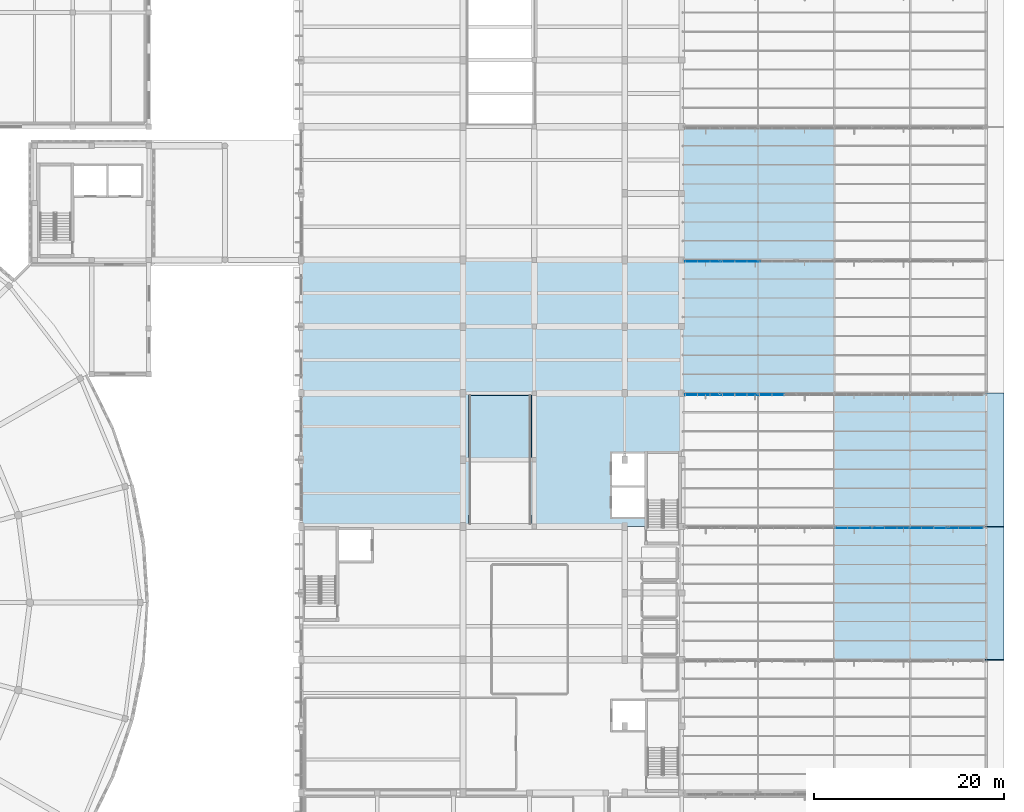
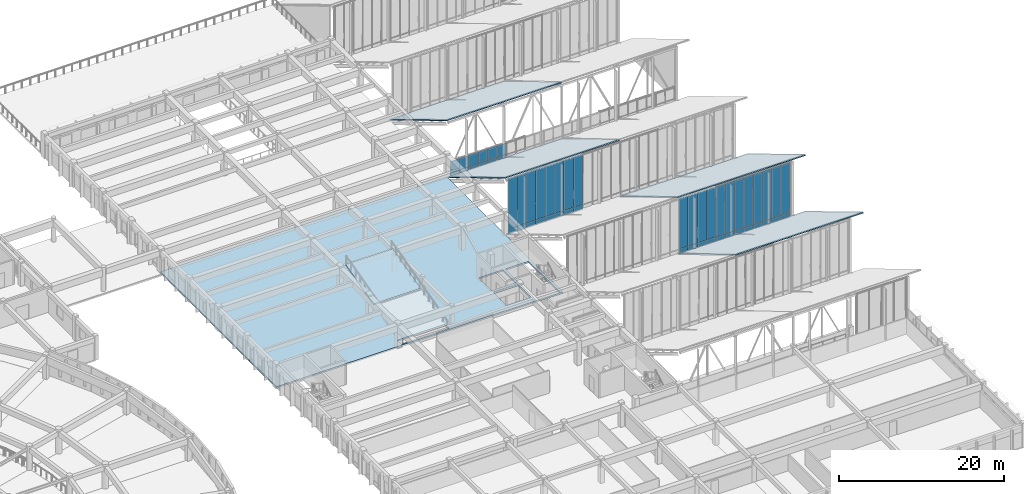
# One storey, part 80 of 155: 52 plates, 6 slabs, 11 elements without a shape of their own.
"""IFC4 building model written with IfcOpenShell, lengths in metres."""

from ifc_helpers import new_model, si_unit, direction, frame, origin, origin_2d, place, context, subcontext, project, spatial, polyline, rectangle, outline, extrude, material, layer, layer_set, type_object, element, aggregate, save


model = new_model("IFC4")

# Units and contexts
model_context = context("Model", 3, precision=1e-05, world=origin(), true_north=direction((0.0, 1.0)))
body_context = subcontext(model_context, "Body", "Model", "MODEL_VIEW")
ifc_project = project(units=[si_unit("LENGTHUNIT", "METRE"), si_unit("AREAUNIT", "SQUARE_METRE"), si_unit("VOLUMEUNIT", "CUBIC_METRE"), si_unit("PLANEANGLEUNIT", "RADIAN"), si_unit("MASSUNIT", "GRAM", prefix="KILO")], contexts=[model_context])

# Site, building, storey
site_placement = place(None, origin())
site = spatial("IfcSite", under=ifc_project, at=site_placement, CompositionType="ELEMENT")
building_placement = place(site_placement, origin())
building = spatial("IfcBuilding", under=site, at=building_placement, Name="Larkveld Mobility Hub", CompositionType="ELEMENT")
storey_placement = place(building_placement, frame((0.0, 0.0, 8.39990234375)))
storey = spatial("IfcBuildingStorey", under=building, at=storey_placement, Name="L02", CompositionType="ELEMENT", Elevation=8.39990234375)

# Curtain wall, plates
ifc_material_1 = material(Name="Anodised aluminium 6063-T6", Category="aluminium")
curtain_wall_type_1 = type_object("IfcCurtainWallType", Name="CW-SYS-01", PredefinedType="NOTDEFINED", material=ifc_material_1)
curtain_wall_1_placement = place(storey_placement, origin())
curtain_wall_1 = element("IfcCurtainWall", 1, at=curtain_wall_1_placement, inside=storey, type_object=curtain_wall_type_1, Name="Sawtooth South-Light Clerestory B3 CW-025", PredefinedType="NOTDEFINED")
ifc_material_2 = material(Name="Low-E laminated solar-control double glazing", Category="glass")
ifc_layer_1 = layer(ifc_material_2, 0.028076171875, Name="Low-E laminated solar-control double glazing", Category="glass")
ifc_layer_set_1 = layer_set([ifc_layer_1], Name="Low-E laminated solar-control double glazing")
plate_type_1 = type_object("IfcPlateType", Name="CW-PNL-GL01", PredefinedType="CURTAIN_PANEL", material=ifc_layer_set_1)
plate_1_placement = place(storey_placement, frame((179.1298828125, 55.844970703125, 0.75), z_axis=(0.0, 0.0, 1.0), x_axis=(1.0, 0.0, 0.0)))
plate_1 = element("IfcPlate", 2, at=plate_1_placement, type_object=plate_type_1, Name="CW01 panel 1", PredefinedType="CURTAIN_PANEL", context=body_context, shape_type="SweptSolid", body=[
    extrude(rectangle(XDim=1.264892578125, YDim=0.028076171875, at=origin_2d()), origin(), (0.0, 0.0, 1.0), 7.367919921875),
])
plate_2_placement = place(storey_placement, frame((180.4140625, 55.844970703125, 0.75), z_axis=(0.0, 0.0, 1.0), x_axis=(1.0, 0.0, 0.0)))
plate_2 = element("IfcPlate", 3, at=plate_2_placement, type_object=plate_type_1, Name="CW01 panel 2", PredefinedType="CURTAIN_PANEL", context=body_context, shape_type="SweptSolid", body=[
    extrude(rectangle(XDim=1.284912109375, YDim=0.028076171875, at=origin_2d()), origin(), (0.0, 0.0, 1.0), 7.367919921875),
])
plate_3_placement = place(storey_placement, frame((181.708984375, 55.844970703125, 0.75), z_axis=(0.0, 0.0, 1.0), x_axis=(1.0, 0.0, 0.0)))
plate_3 = element("IfcPlate", 4, at=plate_3_placement, type_object=plate_type_1, Name="CW01 panel 3", PredefinedType="CURTAIN_PANEL", context=body_context, shape_type="SweptSolid", body=[
    extrude(rectangle(XDim=1.284912109375, YDim=0.028076171875, at=origin_2d()), origin(), (0.0, 0.0, 1.0), 7.367919921875),
])
plate_4_placement = place(storey_placement, frame((182.992919921875, 55.844970703125, 0.75), z_axis=(0.0, 0.0, 1.0), x_axis=(1.0, 0.0, 0.0)))
plate_4 = element("IfcPlate", 5, at=plate_4_placement, type_object=plate_type_1, Name="CW01 panel 4", PredefinedType="CURTAIN_PANEL", context=body_context, shape_type="SweptSolid", body=[
    extrude(rectangle(XDim=1.264892578125, YDim=0.028076171875, at=origin_2d()), origin(), (0.0, 0.0, 1.0), 7.367919921875),
])

curtain_wall_type_2 = type_object("IfcCurtainWallType", Name="CW-SYS-11", PredefinedType="NOTDEFINED", material=ifc_material_1)
curtain_wall_2_placement = place(storey_placement, origin())
curtain_wall_2 = element("IfcCurtainWall", 6, at=curtain_wall_2_placement, inside=storey, type_object=curtain_wall_type_2, Name="Sawtooth South-Light Clerestory B3 CW-023", PredefinedType="NOTDEFINED")
ifc_material_3 = material(Name="Acoustic solar-control laminated double glazing", Category="glass")
ifc_layer_2 = layer(ifc_material_3, 0.031982421875, Name="Acoustic solar-control laminated double glazing", Category="glass")
ifc_layer_set_2 = layer_set([ifc_layer_2], Name="Acoustic solar-control laminated double glazing")
plate_type_2 = type_object("IfcPlateType", Name="CW-PNL-GL02", PredefinedType="CURTAIN_PANEL", material=ifc_layer_set_2)
plate_5_placement = place(storey_placement, frame((168.77294921875, 55.844970703125, 0.75), z_axis=(0.0, 0.0, 1.0), x_axis=(1.0, 0.0, 0.0)))
plate_5 = element("IfcPlate", 7, at=plate_5_placement, type_object=plate_type_2, Name="CW11 panel 1", PredefinedType="CURTAIN_PANEL", context=body_context, shape_type="SweptSolid", body=[
    extrude(rectangle(XDim=1.264892578125, YDim=0.031982421875, at=origin_2d()), origin(), (0.0, 0.0, 1.0), 7.367919921875),
])
plate_6_placement = place(storey_placement, frame((170.056884765625, 55.844970703125, 0.75), z_axis=(0.0, 0.0, 1.0), x_axis=(1.0, 0.0, 0.0)))
plate_6 = element("IfcPlate", 8, at=plate_6_placement, type_object=plate_type_2, Name="CW11 panel 2", PredefinedType="CURTAIN_PANEL", context=body_context, shape_type="SweptSolid", body=[
    extrude(rectangle(XDim=1.284912109375, YDim=0.031982421875, at=origin_2d()), origin(), (0.0, 0.0, 1.0), 7.367919921875),
])
plate_7_placement = place(storey_placement, frame((171.35107421875, 55.844970703125, 0.75), z_axis=(0.0, 0.0, 1.0), x_axis=(1.0, 0.0, 0.0)))
plate_7 = element("IfcPlate", 9, at=plate_7_placement, type_object=plate_type_2, Name="CW11 panel 3", PredefinedType="CURTAIN_PANEL", context=body_context, shape_type="SweptSolid", body=[
    extrude(rectangle(XDim=1.284912109375, YDim=0.031982421875, at=origin_2d()), origin(), (0.0, 0.0, 1.0), 7.367919921875),
])
plate_8_placement = place(storey_placement, frame((172.635986328125, 55.844970703125, 0.75), z_axis=(0.0, 0.0, 1.0), x_axis=(1.0, 0.0, 0.0)))
plate_8 = element("IfcPlate", 10, at=plate_8_placement, type_object=plate_type_2, Name="CW11 panel 4", PredefinedType="CURTAIN_PANEL", context=body_context, shape_type="SweptSolid", body=[
    extrude(rectangle(XDim=1.264892578125, YDim=0.031982421875, at=origin_2d()), origin(), (0.0, 0.0, 1.0), 7.367919921875),
])

curtain_wall_type_3 = type_object("IfcCurtainWallType", Name="CW-SYS-02", PredefinedType="NOTDEFINED", material=ifc_material_1)
curtain_wall_3_placement = place(storey_placement, origin())
curtain_wall_3 = element("IfcCurtainWall", 11, at=curtain_wall_3_placement, inside=storey, type_object=curtain_wall_type_3, Name="Sawtooth South-Light Clerestory B4 CW-026", PredefinedType="NOTDEFINED")
plate_9_placement = place(storey_placement, frame((153.011962890625, 69.844970703125, 0.75), z_axis=(0.0, 0.0, 1.0), x_axis=(1.0, 0.0, 0.0)))
plate_9 = element("IfcPlate", 12, at=plate_9_placement, type_object=plate_type_2, Name="CW02 panel 1", PredefinedType="CURTAIN_PANEL", context=body_context, shape_type="SweptSolid", body=[
    extrude(rectangle(XDim=1.27392578125, YDim=0.031982421875, at=origin_2d()), origin(), (0.0, 0.0, 1.0), 7.367919921875),
])
plate_10_placement = place(storey_placement, frame((154.305908203125, 69.844970703125, 0.75), z_axis=(0.0, 0.0, 1.0), x_axis=(1.0, 0.0, 0.0)))
plate_10 = element("IfcPlate", 13, at=plate_10_placement, type_object=plate_type_2, Name="CW02 panel 2", PredefinedType="CURTAIN_PANEL", context=body_context, shape_type="SweptSolid", body=[
    extrude(rectangle(XDim=1.2939453125, YDim=0.031982421875, at=origin_2d()), origin(), (0.0, 0.0, 1.0), 7.367919921875),
])
plate_11_placement = place(storey_placement, frame((155.611083984375, 69.844970703125, 0.75), z_axis=(0.0, 0.0, 1.0), x_axis=(1.0, 0.0, 0.0)))
plate_11 = element("IfcPlate", 14, at=plate_11_placement, type_object=plate_type_2, Name="CW02 panel 3", PredefinedType="CURTAIN_PANEL", context=body_context, shape_type="SweptSolid", body=[
    extrude(rectangle(XDim=1.2939453125, YDim=0.031982421875, at=origin_2d()), origin(), (0.0, 0.0, 1.0), 7.367919921875),
])
plate_12_placement = place(storey_placement, frame((156.905029296875, 69.844970703125, 0.75), z_axis=(0.0, 0.0, 1.0), x_axis=(1.0, 0.0, 0.0)))
plate_12 = element("IfcPlate", 15, at=plate_12_placement, type_object=plate_type_2, Name="CW02 panel 4", PredefinedType="CURTAIN_PANEL", context=body_context, shape_type="SweptSolid", body=[
    extrude(rectangle(XDim=1.27392578125, YDim=0.031982421875, at=origin_2d()), origin(), (0.0, 0.0, 1.0), 7.367919921875),
])

curtain_wall_type_4 = type_object("IfcCurtainWallType", Name="CW-SYS-08", PredefinedType="NOTDEFINED", material=ifc_material_1)
curtain_wall_4_placement = place(storey_placement, origin())
curtain_wall_4 = element("IfcCurtainWall", 16, at=curtain_wall_4_placement, inside=storey, type_object=curtain_wall_type_4, Name="Sawtooth South-Light Clerestory B5 CW-032", PredefinedType="NOTDEFINED")
plate_13_placement = place(storey_placement, frame((153.011962890625, 83.844970703125, 0.564453125), z_axis=(0.0, 0.0, 1.0), x_axis=(1.0, 0.0, 0.0)))
plate_13 = element("IfcPlate", 17, at=plate_13_placement, type_object=plate_type_2, Name="CW08 panel 1", PredefinedType="CURTAIN_PANEL", context=body_context, shape_type="SweptSolid", body=[
    extrude(rectangle(XDim=1.27392578125, YDim=0.031982421875, at=origin_2d()), origin(), (0.0, 0.0, 1.0), 1.6630859375),
])
plate_14_placement = place(storey_placement, frame((154.305908203125, 83.844970703125, 0.564453125), z_axis=(0.0, 0.0, 1.0), x_axis=(1.0, 0.0, 0.0)))
plate_14 = element("IfcPlate", 18, at=plate_14_placement, type_object=plate_type_2, Name="CW08 panel 2", PredefinedType="CURTAIN_PANEL", context=body_context, shape_type="SweptSolid", body=[
    extrude(rectangle(XDim=1.2939453125, YDim=0.031982421875, at=origin_2d()), origin(), (0.0, 0.0, 1.0), 1.6630859375),
])
plate_15_placement = place(storey_placement, frame((155.611083984375, 83.844970703125, 0.564453125), z_axis=(0.0, 0.0, 1.0), x_axis=(1.0, 0.0, 0.0)))
plate_15 = element("IfcPlate", 19, at=plate_15_placement, type_object=plate_type_2, Name="CW08 panel 3", PredefinedType="CURTAIN_PANEL", context=body_context, shape_type="SweptSolid", body=[
    extrude(rectangle(XDim=1.2939453125, YDim=0.031982421875, at=origin_2d()), origin(), (0.0, 0.0, 1.0), 1.6630859375),
])
plate_16_placement = place(storey_placement, frame((156.905029296875, 83.844970703125, 0.564453125), z_axis=(0.0, 0.0, 1.0), x_axis=(1.0, 0.0, 0.0)))
plate_16 = element("IfcPlate", 20, at=plate_16_placement, type_object=plate_type_2, Name="CW08 panel 4", PredefinedType="CURTAIN_PANEL", context=body_context, shape_type="SweptSolid", body=[
    extrude(rectangle(XDim=1.27392578125, YDim=0.031982421875, at=origin_2d()), origin(), (0.0, 0.0, 1.0), 1.6630859375),
])

curtain_wall_type_5 = type_object("IfcCurtainWallType", Name="CW-SYS-12", PredefinedType="NOTDEFINED", material=ifc_material_1)
curtain_wall_5_placement = place(storey_placement, origin())
curtain_wall_5 = element("IfcCurtainWall", 21, at=curtain_wall_5_placement, inside=storey, type_object=curtain_wall_type_5, Name="Sawtooth South-Light Clerestory B3 CW-024", PredefinedType="NOTDEFINED")
ifc_material_4 = material(Name="Tinted safety double glazing", Category="glass")
ifc_layer_3 = layer(ifc_material_4, 0.035888671875, Name="Tinted safety double glazing", Category="glass")
ifc_layer_set_3 = layer_set([ifc_layer_3], Name="Tinted safety double glazing")
plate_type_3 = type_object("IfcPlateType", Name="CW-PNL-GL03", PredefinedType="CURTAIN_PANEL", material=ifc_layer_set_3)
plate_17_placement = place(storey_placement, frame((173.950927734375, 55.844970703125, 0.75), z_axis=(0.0, 0.0, 1.0), x_axis=(1.0, 0.0, 0.0)))
plate_17 = element("IfcPlate", 22, at=plate_17_placement, type_object=plate_type_3, Name="CW12 panel 1", PredefinedType="CURTAIN_PANEL", context=body_context, shape_type="SweptSolid", body=[
    extrude(rectangle(XDim=1.264892578125, YDim=0.035888671875, at=origin_2d()), origin(), (0.0, 0.0, 1.0), 7.367919921875),
])
plate_18_placement = place(storey_placement, frame((175.235107421875, 55.844970703125, 0.75), z_axis=(0.0, 0.0, 1.0), x_axis=(1.0, 0.0, 0.0)))
plate_18 = element("IfcPlate", 23, at=plate_18_placement, type_object=plate_type_3, Name="CW12 panel 2", PredefinedType="CURTAIN_PANEL", context=body_context, shape_type="SweptSolid", body=[
    extrude(rectangle(XDim=1.284912109375, YDim=0.035888671875, at=origin_2d()), origin(), (0.0, 0.0, 1.0), 7.367919921875),
])
plate_19_placement = place(storey_placement, frame((176.529052734375, 55.844970703125, 0.75), z_axis=(0.0, 0.0, 1.0), x_axis=(1.0, 0.0, 0.0)))
plate_19 = element("IfcPlate", 24, at=plate_19_placement, type_object=plate_type_3, Name="CW12 panel 3", PredefinedType="CURTAIN_PANEL", context=body_context, shape_type="SweptSolid", body=[
    extrude(rectangle(XDim=1.284912109375, YDim=0.035888671875, at=origin_2d()), origin(), (0.0, 0.0, 1.0), 7.367919921875),
])
plate_20_placement = place(storey_placement, frame((177.81396484375, 55.844970703125, 0.75), z_axis=(0.0, 0.0, 1.0), x_axis=(1.0, 0.0, 0.0)))
plate_20 = element("IfcPlate", 25, at=plate_20_placement, type_object=plate_type_3, Name="CW12 panel 4", PredefinedType="CURTAIN_PANEL", context=body_context, shape_type="SweptSolid", body=[
    extrude(rectangle(XDim=1.264892578125, YDim=0.035888671875, at=origin_2d()), origin(), (0.0, 0.0, 1.0), 7.367919921875),
])

curtain_wall_type_6 = type_object("IfcCurtainWallType", Name="CW-SYS-03", PredefinedType="NOTDEFINED", material=ifc_material_1)
curtain_wall_6_placement = place(storey_placement, origin())
curtain_wall_6 = element("IfcCurtainWall", 26, at=curtain_wall_6_placement, inside=storey, type_object=curtain_wall_type_6, Name="Sawtooth South-Light Clerestory B4 CW-027", PredefinedType="NOTDEFINED")
plate_21_placement = place(storey_placement, frame((158.22900390625, 69.844970703125, 0.75), z_axis=(0.0, 0.0, 1.0), x_axis=(1.0, 0.0, 0.0)))
plate_21 = element("IfcPlate", 27, at=plate_21_placement, type_object=plate_type_3, Name="CW03 panel 1", PredefinedType="CURTAIN_PANEL", context=body_context, shape_type="SweptSolid", body=[
    extrude(rectangle(XDim=1.27392578125, YDim=0.035888671875, at=origin_2d()), origin(), (0.0, 0.0, 1.0), 7.367919921875),
])
plate_22_placement = place(storey_placement, frame((159.52294921875, 69.844970703125, 0.75), z_axis=(0.0, 0.0, 1.0), x_axis=(1.0, 0.0, 0.0)))
plate_22 = element("IfcPlate", 28, at=plate_22_placement, type_object=plate_type_3, Name="CW03 panel 2", PredefinedType="CURTAIN_PANEL", context=body_context, shape_type="SweptSolid", body=[
    extrude(rectangle(XDim=1.2939453125, YDim=0.035888671875, at=origin_2d()), origin(), (0.0, 0.0, 1.0), 7.367919921875),
])
plate_23_placement = place(storey_placement, frame((160.826904296875, 69.844970703125, 0.75), z_axis=(0.0, 0.0, 1.0), x_axis=(1.0, 0.0, 0.0)))
plate_23 = element("IfcPlate", 29, at=plate_23_placement, type_object=plate_type_3, Name="CW03 panel 3", PredefinedType="CURTAIN_PANEL", context=body_context, shape_type="SweptSolid", body=[
    extrude(rectangle(XDim=1.2939453125, YDim=0.035888671875, at=origin_2d()), origin(), (0.0, 0.0, 1.0), 7.367919921875),
])
plate_24_placement = place(storey_placement, frame((162.1220703125, 69.844970703125, 0.75), z_axis=(0.0, 0.0, 1.0), x_axis=(1.0, 0.0, 0.0)))
plate_24 = element("IfcPlate", 30, at=plate_24_placement, type_object=plate_type_3, Name="CW03 panel 4", PredefinedType="CURTAIN_PANEL", context=body_context, shape_type="SweptSolid", body=[
    extrude(rectangle(XDim=1.27392578125, YDim=0.035888671875, at=origin_2d()), origin(), (0.0, 0.0, 1.0), 7.367919921875),
])

curtain_wall_type_7 = type_object("IfcCurtainWallType", Name="CW-SYS-09", PredefinedType="NOTDEFINED", material=ifc_material_1)
curtain_wall_7_placement = place(storey_placement, origin())
curtain_wall_7 = element("IfcCurtainWall", 31, at=curtain_wall_7_placement, inside=storey, type_object=curtain_wall_type_7, Name="Sawtooth South-Light Clerestory B5 CW-033", PredefinedType="NOTDEFINED")
plate_25_placement = place(storey_placement, frame((158.22900390625, 83.844970703125, 0.564453125), z_axis=(0.0, 0.0, 1.0), x_axis=(1.0, 0.0, 0.0)))
plate_25 = element("IfcPlate", 32, at=plate_25_placement, type_object=plate_type_3, Name="CW09 panel 1", PredefinedType="CURTAIN_PANEL", context=body_context, shape_type="SweptSolid", body=[
    extrude(rectangle(XDim=1.27392578125, YDim=0.035888671875, at=origin_2d()), origin(), (0.0, 0.0, 1.0), 1.6630859375),
])
plate_26_placement = place(storey_placement, frame((159.52294921875, 83.844970703125, 0.564453125), z_axis=(0.0, 0.0, 1.0), x_axis=(1.0, 0.0, 0.0)))
plate_26 = element("IfcPlate", 33, at=plate_26_placement, type_object=plate_type_3, Name="CW09 panel 2", PredefinedType="CURTAIN_PANEL", context=body_context, shape_type="SweptSolid", body=[
    extrude(rectangle(XDim=1.2939453125, YDim=0.035888671875, at=origin_2d()), origin(), (0.0, 0.0, 1.0), 1.6630859375),
])

# Plate
ifc_material_5 = material(Name="Insulated fluoropolymer aluminium spandrel", Category="aluminium")
ifc_layer_4 = layer(ifc_material_5, 0.06494140625, Name="Insulated fluoropolymer aluminium spandrel", Category="aluminium")
ifc_layer_set_4 = layer_set([ifc_layer_4], Name="Insulated fluoropolymer aluminium spandrel")
plate_type_4 = type_object("IfcPlateType", Name="CW-PNL-SP01", PredefinedType="CURTAIN_PANEL", material=ifc_layer_set_4)
plate_27_placement = place(storey_placement, frame((168.77294921875, 55.844970703125, 0.0), z_axis=(0.0, 0.0, 1.0), x_axis=(1.0, 0.0, 0.0)))
plate_27 = element("IfcPlate", 34, at=plate_27_placement, type_object=plate_type_4, Name="CW11 spandrel 1", PredefinedType="CURTAIN_PANEL", context=body_context, shape_type="SweptSolid", body=[
    extrude(rectangle(XDim=1.264892578125, YDim=0.06494140625, at=origin_2d()), origin(), (0.0, 0.0, 1.0), 0.738037109375),
])

plate_28_placement = place(storey_placement, frame((170.056884765625, 55.844970703125, 0.0), z_axis=(0.0, 0.0, 1.0), x_axis=(1.0, 0.0, 0.0)))
plate_28 = element("IfcPlate", 35, at=plate_28_placement, type_object=plate_type_4, Name="CW11 spandrel 2", PredefinedType="CURTAIN_PANEL", context=body_context, shape_type="SweptSolid", body=[
    extrude(rectangle(XDim=1.284912109375, YDim=0.06494140625, at=origin_2d()), origin(), (0.0, 0.0, 1.0), 0.738037109375),
])

plate_29_placement = place(storey_placement, frame((171.35107421875, 55.844970703125, 0.0), z_axis=(0.0, 0.0, 1.0), x_axis=(1.0, 0.0, 0.0)))
plate_29 = element("IfcPlate", 36, at=plate_29_placement, type_object=plate_type_4, Name="CW11 spandrel 3", PredefinedType="CURTAIN_PANEL", context=body_context, shape_type="SweptSolid", body=[
    extrude(rectangle(XDim=1.284912109375, YDim=0.06494140625, at=origin_2d()), origin(), (0.0, 0.0, 1.0), 0.738037109375),
])

plate_30_placement = place(storey_placement, frame((172.635986328125, 55.844970703125, 0.0), z_axis=(0.0, 0.0, 1.0), x_axis=(1.0, 0.0, 0.0)))
plate_30 = element("IfcPlate", 37, at=plate_30_placement, type_object=plate_type_4, Name="CW11 spandrel 4", PredefinedType="CURTAIN_PANEL", context=body_context, shape_type="SweptSolid", body=[
    extrude(rectangle(XDim=1.264892578125, YDim=0.06494140625, at=origin_2d()), origin(), (0.0, 0.0, 1.0), 0.738037109375),
])

aggregate(curtain_wall_2, [plate_27, plate_5, plate_28, plate_6, plate_29, plate_7, plate_30, plate_8])

plate_31_placement = place(storey_placement, frame((179.1298828125, 55.844970703125, 0.0), z_axis=(0.0, 0.0, 1.0), x_axis=(1.0, 0.0, 0.0)))
plate_31 = element("IfcPlate", 38, at=plate_31_placement, type_object=plate_type_4, Name="CW01 spandrel 1", PredefinedType="CURTAIN_PANEL", context=body_context, shape_type="SweptSolid", body=[
    extrude(rectangle(XDim=1.264892578125, YDim=0.06494140625, at=origin_2d()), origin(), (0.0, 0.0, 1.0), 0.738037109375),
])

plate_32_placement = place(storey_placement, frame((180.4140625, 55.844970703125, 0.0), z_axis=(0.0, 0.0, 1.0), x_axis=(1.0, 0.0, 0.0)))
plate_32 = element("IfcPlate", 39, at=plate_32_placement, type_object=plate_type_4, Name="CW01 spandrel 2", PredefinedType="CURTAIN_PANEL", context=body_context, shape_type="SweptSolid", body=[
    extrude(rectangle(XDim=1.284912109375, YDim=0.06494140625, at=origin_2d()), origin(), (0.0, 0.0, 1.0), 0.738037109375),
])

plate_33_placement = place(storey_placement, frame((181.708984375, 55.844970703125, 0.0), z_axis=(0.0, 0.0, 1.0), x_axis=(1.0, 0.0, 0.0)))
plate_33 = element("IfcPlate", 40, at=plate_33_placement, type_object=plate_type_4, Name="CW01 spandrel 3", PredefinedType="CURTAIN_PANEL", context=body_context, shape_type="SweptSolid", body=[
    extrude(rectangle(XDim=1.284912109375, YDim=0.06494140625, at=origin_2d()), origin(), (0.0, 0.0, 1.0), 0.738037109375),
])

plate_34_placement = place(storey_placement, frame((182.992919921875, 55.844970703125, 0.0), z_axis=(0.0, 0.0, 1.0), x_axis=(1.0, 0.0, 0.0)))
plate_34 = element("IfcPlate", 41, at=plate_34_placement, type_object=plate_type_4, Name="CW01 spandrel 4", PredefinedType="CURTAIN_PANEL", context=body_context, shape_type="SweptSolid", body=[
    extrude(rectangle(XDim=1.264892578125, YDim=0.06494140625, at=origin_2d()), origin(), (0.0, 0.0, 1.0), 0.738037109375),
])

aggregate(curtain_wall_1, [plate_31, plate_1, plate_32, plate_2, plate_33, plate_3, plate_34, plate_4])

plate_35_placement = place(storey_placement, frame((158.22900390625, 69.844970703125, 0.0), z_axis=(0.0, 0.0, 1.0), x_axis=(1.0, 0.0, 0.0)))
plate_35 = element("IfcPlate", 42, at=plate_35_placement, type_object=plate_type_4, Name="CW03 spandrel 1", PredefinedType="CURTAIN_PANEL", context=body_context, shape_type="SweptSolid", body=[
    extrude(rectangle(XDim=1.27392578125, YDim=0.06494140625, at=origin_2d()), origin(), (0.0, 0.0, 1.0), 0.738037109375),
])

plate_36_placement = place(storey_placement, frame((159.52294921875, 69.844970703125, 0.0), z_axis=(0.0, 0.0, 1.0), x_axis=(1.0, 0.0, 0.0)))
plate_36 = element("IfcPlate", 43, at=plate_36_placement, type_object=plate_type_4, Name="CW03 spandrel 2", PredefinedType="CURTAIN_PANEL", context=body_context, shape_type="SweptSolid", body=[
    extrude(rectangle(XDim=1.2939453125, YDim=0.06494140625, at=origin_2d()), origin(), (0.0, 0.0, 1.0), 0.738037109375),
])

plate_37_placement = place(storey_placement, frame((160.826904296875, 69.844970703125, 0.0), z_axis=(0.0, 0.0, 1.0), x_axis=(1.0, 0.0, 0.0)))
plate_37 = element("IfcPlate", 44, at=plate_37_placement, type_object=plate_type_4, Name="CW03 spandrel 3", PredefinedType="CURTAIN_PANEL", context=body_context, shape_type="SweptSolid", body=[
    extrude(rectangle(XDim=1.2939453125, YDim=0.06494140625, at=origin_2d()), origin(), (0.0, 0.0, 1.0), 0.738037109375),
])

plate_38_placement = place(storey_placement, frame((162.1220703125, 69.844970703125, 0.0), z_axis=(0.0, 0.0, 1.0), x_axis=(1.0, 0.0, 0.0)))
plate_38 = element("IfcPlate", 45, at=plate_38_placement, type_object=plate_type_4, Name="CW03 spandrel 4", PredefinedType="CURTAIN_PANEL", context=body_context, shape_type="SweptSolid", body=[
    extrude(rectangle(XDim=1.27392578125, YDim=0.06494140625, at=origin_2d()), origin(), (0.0, 0.0, 1.0), 0.738037109375),
])

aggregate(curtain_wall_6, [plate_35, plate_21, plate_36, plate_22, plate_37, plate_23, plate_38, plate_24])

plate_39_placement = place(storey_placement, frame((158.22900390625, 83.844970703125, 0.0), z_axis=(0.0, 0.0, 1.0), x_axis=(1.0, 0.0, 0.0)))
plate_39 = element("IfcPlate", 46, at=plate_39_placement, type_object=plate_type_4, Name="CW09 spandrel 1", PredefinedType="CURTAIN_PANEL", context=body_context, shape_type="SweptSolid", body=[
    extrude(rectangle(XDim=1.27392578125, YDim=0.06494140625, at=origin_2d()), origin(), (0.0, 0.0, 1.0), 0.552001953125),
])

plate_40_placement = place(storey_placement, frame((159.52294921875, 83.844970703125, 0.0), z_axis=(0.0, 0.0, 1.0), x_axis=(1.0, 0.0, 0.0)))
plate_40 = element("IfcPlate", 47, at=plate_40_placement, type_object=plate_type_4, Name="CW09 spandrel 2", PredefinedType="CURTAIN_PANEL", context=body_context, shape_type="SweptSolid", body=[
    extrude(rectangle(XDim=1.2939453125, YDim=0.06494140625, at=origin_2d()), origin(), (0.0, 0.0, 1.0), 0.552001953125),
])

aggregate(curtain_wall_7, [plate_39, plate_25, plate_40, plate_26])

ifc_material_6 = material(Name="Insulated terracotta-toned aluminium spandrel", Category="masonry")
ifc_layer_5 = layer(ifc_material_6, 0.080078125, Name="Insulated terracotta-toned aluminium spandrel", Category="masonry")
ifc_layer_set_5 = layer_set([ifc_layer_5], Name="Insulated terracotta-toned aluminium spandrel")
plate_type_5 = type_object("IfcPlateType", Name="CW-PNL-SP02", PredefinedType="CURTAIN_PANEL", material=ifc_layer_set_5)
plate_41_placement = place(storey_placement, frame((173.950927734375, 55.844970703125, 0.0), z_axis=(0.0, 0.0, 1.0), x_axis=(1.0, 0.0, 0.0)))
plate_41 = element("IfcPlate", 48, at=plate_41_placement, type_object=plate_type_5, Name="CW12 spandrel 1", PredefinedType="CURTAIN_PANEL", context=body_context, shape_type="SweptSolid", body=[
    extrude(rectangle(XDim=1.264892578125, YDim=0.080078125, at=origin_2d()), origin(), (0.0, 0.0, 1.0), 0.738037109375),
])

plate_42_placement = place(storey_placement, frame((175.235107421875, 55.844970703125, 0.0), z_axis=(0.0, 0.0, 1.0), x_axis=(1.0, 0.0, 0.0)))
plate_42 = element("IfcPlate", 49, at=plate_42_placement, type_object=plate_type_5, Name="CW12 spandrel 2", PredefinedType="CURTAIN_PANEL", context=body_context, shape_type="SweptSolid", body=[
    extrude(rectangle(XDim=1.284912109375, YDim=0.080078125, at=origin_2d()), origin(), (0.0, 0.0, 1.0), 0.738037109375),
])

plate_43_placement = place(storey_placement, frame((176.529052734375, 55.844970703125, 0.0), z_axis=(0.0, 0.0, 1.0), x_axis=(1.0, 0.0, 0.0)))
plate_43 = element("IfcPlate", 50, at=plate_43_placement, type_object=plate_type_5, Name="CW12 spandrel 3", PredefinedType="CURTAIN_PANEL", context=body_context, shape_type="SweptSolid", body=[
    extrude(rectangle(XDim=1.284912109375, YDim=0.080078125, at=origin_2d()), origin(), (0.0, 0.0, 1.0), 0.738037109375),
])

plate_44_placement = place(storey_placement, frame((177.81396484375, 55.844970703125, 0.0), z_axis=(0.0, 0.0, 1.0), x_axis=(1.0, 0.0, 0.0)))
plate_44 = element("IfcPlate", 51, at=plate_44_placement, type_object=plate_type_5, Name="CW12 spandrel 4", PredefinedType="CURTAIN_PANEL", context=body_context, shape_type="SweptSolid", body=[
    extrude(rectangle(XDim=1.264892578125, YDim=0.080078125, at=origin_2d()), origin(), (0.0, 0.0, 1.0), 0.738037109375),
])

aggregate(curtain_wall_5, [plate_41, plate_17, plate_42, plate_18, plate_43, plate_19, plate_44, plate_20])

plate_45_placement = place(storey_placement, frame((153.011962890625, 69.844970703125, 0.0), z_axis=(0.0, 0.0, 1.0), x_axis=(1.0, 0.0, 0.0)))
plate_45 = element("IfcPlate", 52, at=plate_45_placement, type_object=plate_type_5, Name="CW02 spandrel 1", PredefinedType="CURTAIN_PANEL", context=body_context, shape_type="SweptSolid", body=[
    extrude(rectangle(XDim=1.27392578125, YDim=0.080078125, at=origin_2d()), origin(), (0.0, 0.0, 1.0), 0.738037109375),
])

plate_46_placement = place(storey_placement, frame((154.305908203125, 69.844970703125, 0.0), z_axis=(0.0, 0.0, 1.0), x_axis=(1.0, 0.0, 0.0)))
plate_46 = element("IfcPlate", 53, at=plate_46_placement, type_object=plate_type_5, Name="CW02 spandrel 2", PredefinedType="CURTAIN_PANEL", context=body_context, shape_type="SweptSolid", body=[
    extrude(rectangle(XDim=1.2939453125, YDim=0.080078125, at=origin_2d()), origin(), (0.0, 0.0, 1.0), 0.738037109375),
])

plate_47_placement = place(storey_placement, frame((155.611083984375, 69.844970703125, 0.0), z_axis=(0.0, 0.0, 1.0), x_axis=(1.0, 0.0, 0.0)))
plate_47 = element("IfcPlate", 54, at=plate_47_placement, type_object=plate_type_5, Name="CW02 spandrel 3", PredefinedType="CURTAIN_PANEL", context=body_context, shape_type="SweptSolid", body=[
    extrude(rectangle(XDim=1.2939453125, YDim=0.080078125, at=origin_2d()), origin(), (0.0, 0.0, 1.0), 0.738037109375),
])

plate_48_placement = place(storey_placement, frame((156.905029296875, 69.844970703125, 0.0), z_axis=(0.0, 0.0, 1.0), x_axis=(1.0, 0.0, 0.0)))
plate_48 = element("IfcPlate", 55, at=plate_48_placement, type_object=plate_type_5, Name="CW02 spandrel 4", PredefinedType="CURTAIN_PANEL", context=body_context, shape_type="SweptSolid", body=[
    extrude(rectangle(XDim=1.27392578125, YDim=0.080078125, at=origin_2d()), origin(), (0.0, 0.0, 1.0), 0.738037109375),
])

aggregate(curtain_wall_3, [plate_45, plate_9, plate_46, plate_10, plate_47, plate_11, plate_48, plate_12])

plate_49_placement = place(storey_placement, frame((153.011962890625, 83.844970703125, 0.0), z_axis=(0.0, 0.0, 1.0), x_axis=(1.0, 0.0, 0.0)))
plate_49 = element("IfcPlate", 56, at=plate_49_placement, type_object=plate_type_5, Name="CW08 spandrel 1", PredefinedType="CURTAIN_PANEL", context=body_context, shape_type="SweptSolid", body=[
    extrude(rectangle(XDim=1.27392578125, YDim=0.080078125, at=origin_2d()), origin(), (0.0, 0.0, 1.0), 0.552001953125),
])

plate_50_placement = place(storey_placement, frame((154.305908203125, 83.844970703125, 0.0), z_axis=(0.0, 0.0, 1.0), x_axis=(1.0, 0.0, 0.0)))
plate_50 = element("IfcPlate", 57, at=plate_50_placement, type_object=plate_type_5, Name="CW08 spandrel 2", PredefinedType="CURTAIN_PANEL", context=body_context, shape_type="SweptSolid", body=[
    extrude(rectangle(XDim=1.2939453125, YDim=0.080078125, at=origin_2d()), origin(), (0.0, 0.0, 1.0), 0.552001953125),
])

plate_51_placement = place(storey_placement, frame((155.611083984375, 83.844970703125, 0.0), z_axis=(0.0, 0.0, 1.0), x_axis=(1.0, 0.0, 0.0)))
plate_51 = element("IfcPlate", 58, at=plate_51_placement, type_object=plate_type_5, Name="CW08 spandrel 3", PredefinedType="CURTAIN_PANEL", context=body_context, shape_type="SweptSolid", body=[
    extrude(rectangle(XDim=1.2939453125, YDim=0.080078125, at=origin_2d()), origin(), (0.0, 0.0, 1.0), 0.552001953125),
])

plate_52_placement = place(storey_placement, frame((156.905029296875, 83.844970703125, 0.0), z_axis=(0.0, 0.0, 1.0), x_axis=(1.0, 0.0, 0.0)))
plate_52 = element("IfcPlate", 59, at=plate_52_placement, type_object=plate_type_5, Name="CW08 spandrel 4", PredefinedType="CURTAIN_PANEL", context=body_context, shape_type="SweptSolid", body=[
    extrude(rectangle(XDim=1.27392578125, YDim=0.080078125, at=origin_2d()), origin(), (0.0, 0.0, 1.0), 0.552001953125),
])

aggregate(curtain_wall_4, [plate_49, plate_13, plate_50, plate_14, plate_51, plate_15, plate_52, plate_16])

# Slab
ifc_material_7 = material(Name="Concrete C40/50", Category="concrete")
ifc_layer_6 = layer(ifc_material_7, 0.22998046875, Name="Concrete C40/50", Category="concrete")
ifc_layer_set_6 = layer_set([ifc_layer_6], Name="Concrete C40/50")
slab_type_1 = type_object("IfcSlabType", Name="SL-FLR-230", PredefinedType="FLOOR", material=ifc_layer_set_6)
slab_1_placement = place(storey_placement, frame((0.0, 0.0, -0.22998046875)))
element("IfcSlab", 60, at=slab_1_placement, inside=storey, type_object=slab_type_1, Name="EV Wing and Sports Pavilion Slab L02-141", PredefinedType="FLOOR", context=body_context, shape_type="SweptSolid", body=[
    extrude(outline(polyline([(112.0, 56.0), (152.0, 56.0), (152.0, 84.0), (112.0, 84.0), (112.0, 56.0)]), holes=[polyline([(148.3798828125, 56.06005859375), (148.3798828125, 63.64990234375), (151.64990234375, 63.64990234375), (151.64990234375, 56.06005859375), (148.3798828125, 56.06005859375)]), polyline([(144.679931640625, 60.300048828125), (144.679931640625, 63.64990234375), (148.080078125, 63.64990234375), (148.080078125, 60.300048828125), (144.679931640625, 60.300048828125)]), polyline([(144.679931640625, 57.0), (144.679931640625, 60.080078125), (148.080078125, 60.080078125), (148.080078125, 57.0), (144.679931640625, 57.0)]), polyline([(129.580078125, 56.22998046875), (129.580078125, 57.199951171875), (136.219970703125, 57.199951171875), (136.219970703125, 56.22998046875), (129.580078125, 56.22998046875)])]), origin(), (0.0, 0.0, 1.0), 0.22998046875),
])

# Roof, slab
ifc_material_8 = material(Name="Steel S355JR", Category="steel")
roof_type = type_object("IfcRoofType", Name="ROF-SAW-01", PredefinedType="SHED_ROOF", material=ifc_material_8)
roof_1_placement = place(storey_placement, origin())
roof_1 = element("IfcRoof", 61, at=roof_1_placement, inside=storey, type_object=roof_type, Name="Sawtooth South-Light Roof Bay 2", PredefinedType="SHED_ROOF")
ifc_material_9 = material(Name="Precast concrete C50/60", Category="concrete")
ifc_layer_7 = layer(ifc_material_9, 0.139892578125, Name="Precast concrete C50/60", Category="concrete")
ifc_layer_set_7 = layer_set([ifc_layer_7], Name="Precast concrete C50/60")
slab_type_2 = type_object("IfcSlabType", Name="SL-RF-SAW140", PredefinedType="ROOF", material=ifc_layer_set_7)
slab_2_placement = place(storey_placement, frame((168.0, 42.0, 8.400146484375), z_axis=(0.0, 0.51450235251, 0.857488967429), x_axis=(1.0, 0.0, 0.0)))
slab_2 = element("IfcSlab", 62, at=slab_2_placement, type_object=slab_type_2, Name="Sawtooth North-Sloped Roof Slab B2.2", PredefinedType="ROOF", context=body_context, shape_type="SweptSolid", body=[
    extrude(outline(polyline([(0.0, 0.0), (17.85009765625, 0.0), (17.85009765625, 16.3267406716392), (0.0, 16.3267406716392), (0.0, 0.0)])), origin(), (0.0, 0.0, -1.0), 0.139892578125),
])
aggregate(roof_1, [slab_2])

roof_2_placement = place(storey_placement, origin())
roof_2 = element("IfcRoof", 63, at=roof_2_placement, inside=storey, type_object=roof_type, Name="Sawtooth South-Light Roof Bay 3", PredefinedType="SHED_ROOF")
slab_3_placement = place(storey_placement, frame((168.0, 56.0, 8.400146484375), z_axis=(0.0, 0.51450235251, 0.857488967429), x_axis=(1.0, 0.0, 0.0)))
slab_3 = element("IfcSlab", 64, at=slab_3_placement, type_object=slab_type_2, Name="Sawtooth North-Sloped Roof Slab B3.2", PredefinedType="ROOF", context=body_context, shape_type="SweptSolid", body=[
    extrude(outline(polyline([(0.0, 0.0), (17.85009765625, 0.0), (17.85009765625, 16.3267406716392), (0.0, 16.3267406716392), (0.0, 0.0)])), origin(), (0.0, 0.0, -1.0), 0.139892578125),
])
aggregate(roof_2, [slab_3])

roof_3_placement = place(storey_placement, origin())
roof_3 = element("IfcRoof", 65, at=roof_3_placement, inside=storey, type_object=roof_type, Name="Sawtooth South-Light Roof Bay 4", PredefinedType="SHED_ROOF")
slab_4_placement = place(storey_placement, frame((152.0, 70.0, 8.400146484375), z_axis=(0.0, 0.51450235251, 0.857488967429), x_axis=(1.0, 0.0, 0.0)))
slab_4 = element("IfcSlab", 66, at=slab_4_placement, type_object=slab_type_2, Name="Sawtooth North-Sloped Roof Slab B4.1", PredefinedType="ROOF", context=body_context, shape_type="SweptSolid", body=[
    extrude(outline(polyline([(0.0, 0.0), (16.0, 0.0), (16.0, 16.326740671639204), (0.0, 16.326740671639204), (0.0, 0.0)])), origin(), (0.0, 0.0, -1.0), 0.139892578125),
])
aggregate(roof_3, [slab_4])

roof_4_placement = place(storey_placement, origin())
roof_4 = element("IfcRoof", 67, at=roof_4_placement, inside=storey, type_object=roof_type, Name="Sawtooth South-Light Roof Bay 5", PredefinedType="SHED_ROOF")
slab_5_placement = place(storey_placement, frame((152.0, 84.0, 8.400146484375), z_axis=(0.0, 0.51450235251, 0.857488967429), x_axis=(1.0, 0.0, 0.0)))
slab_5 = element("IfcSlab", 68, at=slab_5_placement, type_object=slab_type_2, Name="Sawtooth North-Sloped Roof Slab B5.1", PredefinedType="ROOF", context=body_context, shape_type="SweptSolid", body=[
    extrude(outline(polyline([(0.0, 0.0), (16.0, 0.0), (16.0, 16.326740671639204), (0.0, 16.326740671639204), (0.0, 0.0)])), origin(), (0.0, 0.0, -1.0), 0.139892578125),
])
aggregate(roof_4, [slab_5])

# Slab
ifc_layer_8 = layer(ifc_material_7, 0.239990234375, Name="Concrete C40/50", Category="concrete")
ifc_layer_set_8 = layer_set([ifc_layer_8], Name="Concrete C40/50")
slab_type_3 = type_object("IfcSlabType", Name="SL-RMP-EV-240", PredefinedType="FLOOR", material=ifc_layer_set_8)
slab_6_placement = place(storey_placement, frame((129.60009765625, 63.0, 1.800048828125), z_axis=(0.0, -0.257669176053, 0.966233199446), x_axis=(1.0, 0.0, 0.0)))
element("IfcSlab", 69, at=slab_6_placement, inside=storey, type_object=slab_type_3, Name="EV car park inter-deck vehicle ramp slab L02-2", PredefinedType="FLOOR", context=body_context, shape_type="SweptSolid", body=[
    extrude(outline(polyline([(0.0, 0.0), (6.599853515625, 0.0), (6.599853515625, 6.985891194660433), (0.0, 6.985891194660433), (0.0, 0.0)])), origin(), (0.0, 0.0, -1.0), 0.239990234375),
])

save(model, "model.ifc")
